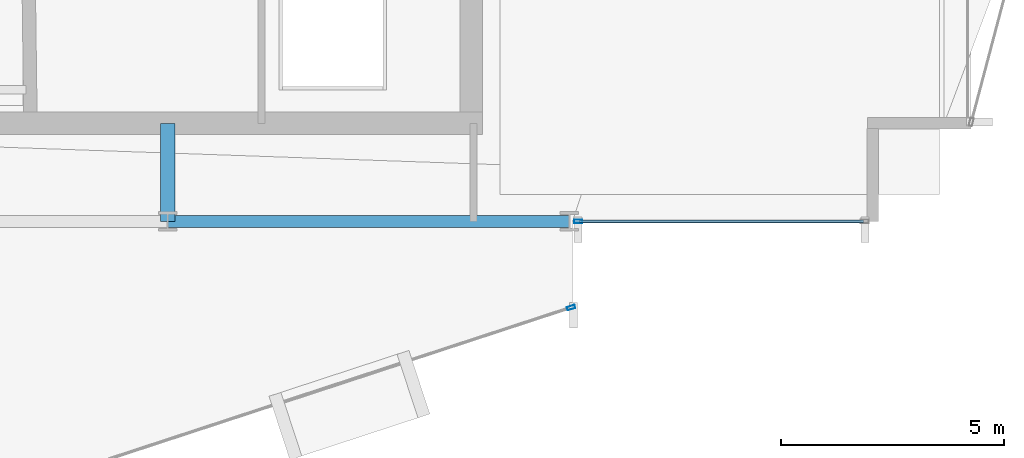
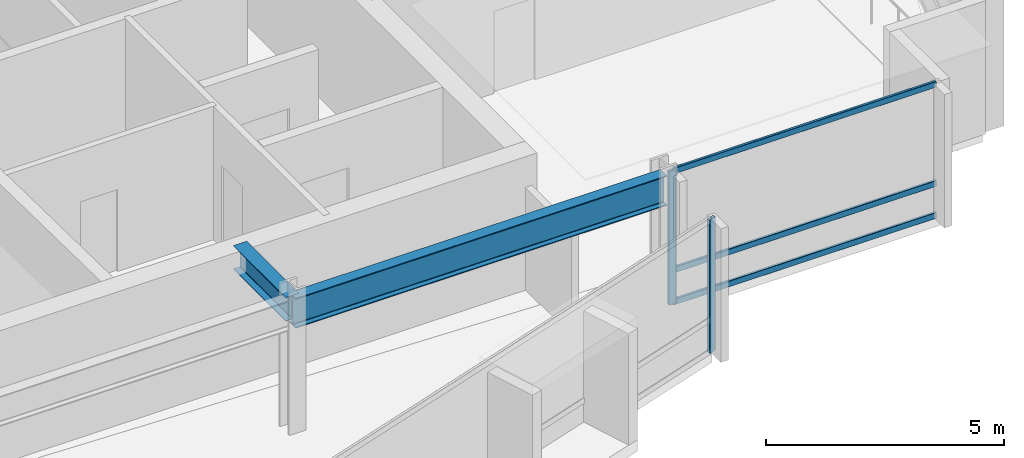
# One storey, part 10 of 28: 5 members, 2 beams, 2 elements without a shape of their own.
"""IFC4 building model written with IfcOpenShell, lengths in metres."""

from ifc_helpers import new_model, si_unit, direction, frame, origin, origin_2d, place, context, subcontext, project, spatial, hollow_rectangle, i_section, extrude, material, layer, layer_set, material_profile, profile_set, type_object, element, aggregate, save


model = new_model("IFC4")

# Units and contexts
model_context = context("Model", 3, precision=1e-05, world=origin(), true_north=direction((0.0, 1.0)))
body_context = subcontext(model_context, "Body", "Model", "MODEL_VIEW")
ifc_project = project(units=[si_unit("LENGTHUNIT", "METRE"), si_unit("AREAUNIT", "SQUARE_METRE"), si_unit("VOLUMEUNIT", "CUBIC_METRE"), si_unit("PLANEANGLEUNIT", "RADIAN"), si_unit("MASSUNIT", "GRAM", prefix="KILO")], contexts=[model_context])

# Site, building, storey
site_placement = place(None, origin())
site = spatial("IfcSite", under=ifc_project, at=site_placement, CompositionType="ELEMENT")
building_placement = place(site_placement, origin())
building = spatial("IfcBuilding", under=site, at=building_placement, Name="Solvaryn Broadcast Tower", CompositionType="ELEMENT")
storey_placement = place(building_placement, frame((0.0, 0.0, 158.10009765625)))
storey = spatial("IfcBuildingStorey", under=building, at=storey_placement, Name="L39", CompositionType="ELEMENT", Elevation=158.10009765625)

# Beams
ifc_material_1 = material(Name="Steel ASTM A992 Grade 50", Category="steel")
ifc_material_profile_1 = material_profile(ifc_material_1, i_section(OverallWidth=0.323974609375, OverallDepth=0.611083984375, WebThickness=0.0126953125, FlangeThickness=0.01904296875, FilletRadius=0.014892578125, at=origin_2d()))
ifc_profile_set_1 = profile_set([ifc_material_profile_1], Name="Steel ASTM A992 Grade 50")
beam_type_1 = type_object("IfcBeamType", Name="BM-B1-W24X104", PredefinedType="BEAM", material=ifc_profile_set_1)
beam_1_placement = place(storey_placement, frame((36.0, 9.0, 3.114501953125), z_axis=(0.0, 1.0, 0.0), x_axis=(-1.0, 0.0, 0.0)))
element("IfcBeam", 1, at=beam_1_placement, inside=storey, type_object=beam_type_1, Name="L39 Core Tie Beam CTE1", PredefinedType="BEAM", context=body_context, shape_type="SweptSolid", body=[
    extrude(i_section(OverallWidth=0.323974609375, OverallDepth=0.611083984375, WebThickness=0.0126953125, FlangeThickness=0.01904296875, FilletRadius=0.014892578125, at=origin_2d()), origin(), (0.0, 0.0, 1.0), 2.199951171875),
])
ifc_material_2 = material(Name="Steel ASTM A992 Grade 50", Category="steel")
ifc_material_profile_2 = material_profile(ifc_material_2, i_section(OverallWidth=0.26708984375, OverallDepth=0.76611328125, WebThickness=0.014892578125, FlangeThickness=0.023681640625, FilletRadius=0.01806640625, at=origin_2d()))
ifc_profile_set_2 = profile_set([ifc_material_profile_2], Name="Steel ASTM A992 Grade 50")
beam_type_2 = type_object("IfcBeamType", Name="BM-SP2-W30X124", PredefinedType="USERDEFINED", material=ifc_profile_set_2)
beam_2_placement = place(storey_placement, frame((36.0, 9.0, 3.036865234375), z_axis=(1.0, 0.0, 0.0), x_axis=(0.0, 1.0, 0.0)))
element("IfcBeam", 2, at=beam_2_placement, inside=storey, type_object=beam_type_2, Name="L39 Spandrel Beam X (36-45 @ Y=9)", ObjectType="SPANDREL", PredefinedType="USERDEFINED", context=body_context, shape_type="SweptSolid", body=[
    extrude(i_section(OverallWidth=0.26708984375, OverallDepth=0.76611328125, WebThickness=0.014892578125, FlangeThickness=0.023681640625, FilletRadius=0.01806640625, at=origin_2d()), origin(), (0.0, 0.0, 1.0), 9.0),
])

# Curtain wall, member
ifc_material_3 = material(Name="Aluminium and Terracotta Unitised Curtain Wall", Category="masonry")
ifc_layer = layer(ifc_material_3, 0.199951171875)
ifc_layer_set = layer_set([ifc_layer], Name="CW-SYS2-LOWMID")
curtain_wall_type = type_object("IfcCurtainWallType", Name="CW-SYS2-LOWMID", PredefinedType="NOTDEFINED", material=ifc_layer_set)
curtain_wall_1_placement = place(storey_placement, origin())
curtain_wall_1 = element("IfcCurtainWall", 3, at=curtain_wall_1_placement, inside=storey, type_object=curtain_wall_type, Name="L39 Curtain Wall DR4", PredefinedType="NOTDEFINED")
ifc_material_4 = material(Name="Anodised Aluminium 6063-T6", Category="aluminium")
ifc_material_profile_3 = material_profile(ifc_material_4, hollow_rectangle(XDim=0.074951171875, YDim=0.179931640625, WallThickness=0.00390625, InnerFilletRadius=0.00390625, OuterFilletRadius=0.008056640625, at=origin_2d()))
ifc_profile_set_3 = profile_set([ifc_material_profile_3], Name="Anodised Aluminium 6063-T6")
member_type_1 = type_object("IfcMemberType", Name="CW-MUL-180", PredefinedType="MULLION", material=ifc_profile_set_3)
member_1_placement = place(storey_placement, frame((45.03857421875, 7.069580078125, 0.0), z_axis=(0.0, 0.0, 1.0), x_axis=(-0.311646057547, 0.950198260794, 0.0)))
member_1 = element("IfcMember", 4, at=member_1_placement, type_object=member_type_1, Name="CWS2 mullion 2", PredefinedType="MULLION", context=body_context, shape_type="SweptSolid", body=[
    extrude(hollow_rectangle(XDim=0.074951171875, YDim=0.179931640625, WallThickness=0.00390625, InnerFilletRadius=0.00390625, OuterFilletRadius=0.008056640625, at=origin_2d()), origin(), (0.0, 0.0, 1.0), 3.419921875),
])
aggregate(curtain_wall_1, [member_1])

# Curtain wall, members
curtain_wall_2_placement = place(storey_placement, origin())
curtain_wall_2 = element("IfcCurtainWall", 5, at=curtain_wall_2_placement, inside=storey, type_object=curtain_wall_type, Name="L39 Curtain Wall S2", PredefinedType="NOTDEFINED")
member_2_placement = place(storey_placement, frame((45.197021484375, 9.0, 0.0), z_axis=(0.0, 0.0, 1.0), x_axis=(0.0, 1.0, 0.0)))
member_2 = element("IfcMember", 6, at=member_2_placement, type_object=member_type_1, Name="CWS2 mullion 1", PredefinedType="MULLION", context=body_context, shape_type="SweptSolid", body=[
    extrude(hollow_rectangle(XDim=0.074951171875, YDim=0.179931640625, WallThickness=0.00390625, InnerFilletRadius=0.00390625, OuterFilletRadius=0.008056640625, at=origin_2d()), origin(), (0.0, 0.0, 1.0), 3.419921875),
])
ifc_material_5 = material(Name="Anodised Aluminium 6063-T6", Category="aluminium")
ifc_material_profile_4 = material_profile(ifc_material_5, hollow_rectangle(XDim=0.06494140625, YDim=0.14990234375, WallThickness=0.00390625, InnerFilletRadius=0.00390625, OuterFilletRadius=0.008056640625, at=origin_2d()))
ifc_profile_set_4 = profile_set([ifc_material_profile_4], Name="Anodised Aluminium 6063-T6")
member_type_2 = type_object("IfcMemberType", Name="CW-TRN-150", PredefinedType="USERDEFINED", material=ifc_profile_set_4)
member_3_placement = place(storey_placement, frame((45.22705078125, 9.0, 0.02978515625), z_axis=(1.0, 0.0, 0.0), x_axis=(0.0, 1.0, 0.0)))
member_3 = element("IfcMember", 7, at=member_3_placement, type_object=member_type_2, Name="CWS2 transom 1.1", ObjectType="TRANSOM", PredefinedType="USERDEFINED", context=body_context, shape_type="SweptSolid", body=[
    extrude(hollow_rectangle(XDim=0.06494140625, YDim=0.14990234375, WallThickness=0.00390625, InnerFilletRadius=0.00390625, OuterFilletRadius=0.008056640625, at=origin_2d()), origin(), (0.0, 0.0, 1.0), 6.363037109375),
])
member_4_placement = place(storey_placement, frame((45.22705078125, 9.0, 0.849853515625), z_axis=(1.0, 0.0, 0.0), x_axis=(0.0, 1.0, 0.0)))
member_4 = element("IfcMember", 8, at=member_4_placement, type_object=member_type_2, Name="CWS2 transom 1.2", ObjectType="TRANSOM", PredefinedType="USERDEFINED", context=body_context, shape_type="SweptSolid", body=[
    extrude(hollow_rectangle(XDim=0.06494140625, YDim=0.14990234375, WallThickness=0.00390625, InnerFilletRadius=0.00390625, OuterFilletRadius=0.008056640625, at=origin_2d()), origin(), (0.0, 0.0, 1.0), 6.363037109375),
])
member_5_placement = place(storey_placement, frame((45.22705078125, 9.0, 3.389892578125), z_axis=(1.0, 0.0, 0.0), x_axis=(0.0, 1.0, 0.0)))
member_5 = element("IfcMember", 9, at=member_5_placement, type_object=member_type_2, Name="CWS2 transom 1.3", ObjectType="TRANSOM", PredefinedType="USERDEFINED", context=body_context, shape_type="SweptSolid", body=[
    extrude(hollow_rectangle(XDim=0.06494140625, YDim=0.14990234375, WallThickness=0.00390625, InnerFilletRadius=0.00390625, OuterFilletRadius=0.008056640625, at=origin_2d()), origin(), (0.0, 0.0, 1.0), 6.363037109375),
])
aggregate(curtain_wall_2, [member_2, member_3, member_4, member_5])

save(model, "model.ifc")
